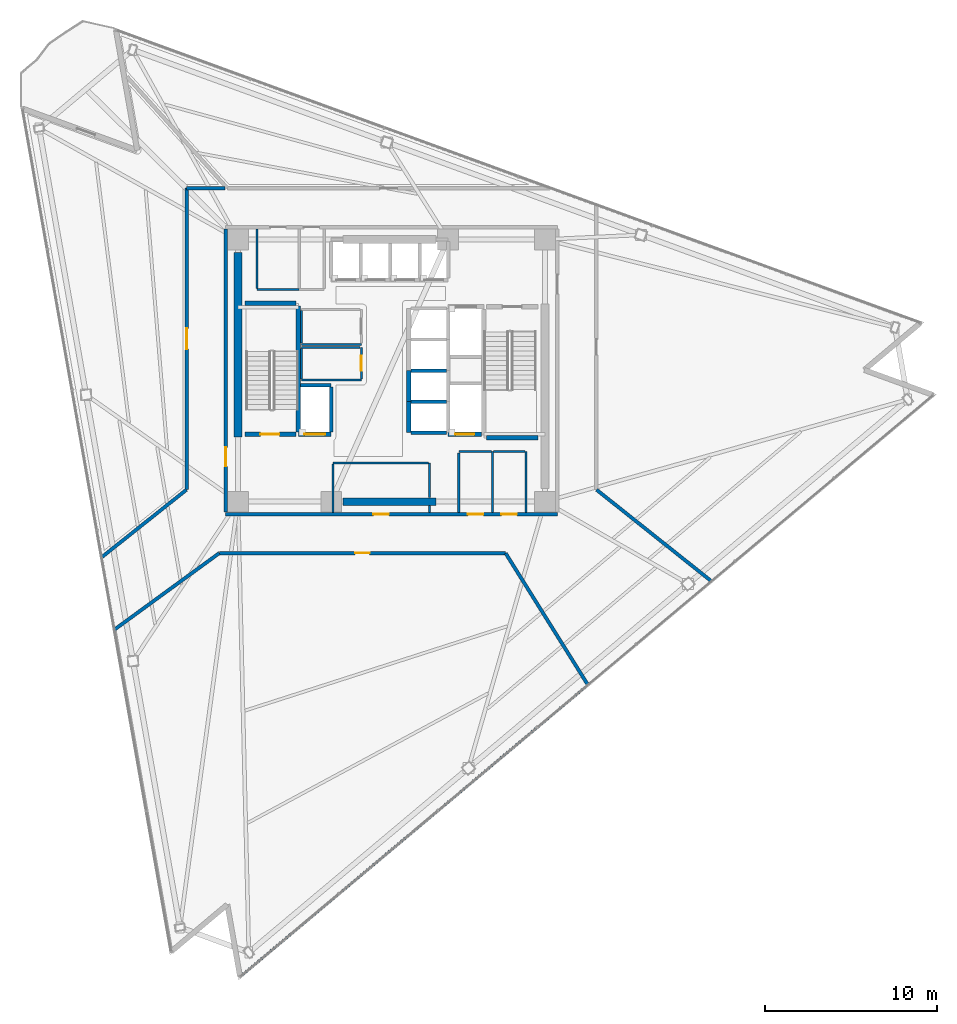
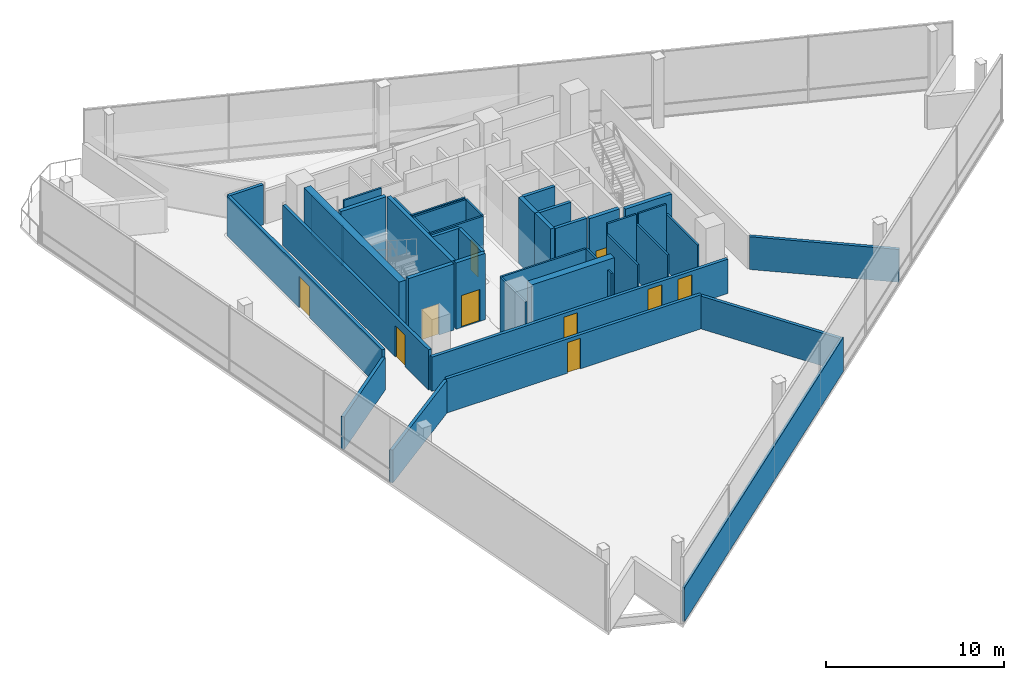
# One storey, part 10 of 15: 42 walls, 10 doors, 10 openings.
"""IFC4 building model written with IfcOpenShell, lengths in metres."""

from ifc_helpers import new_model, si_unit, direction, frame, frame_2d, origin, place, context, subcontext, project, spatial, rectangle, extrude, material, layer, layer_set, type_object, element, fill, save


model = new_model("IFC4")

# Units and contexts
model_context = context("Model", 3, precision=1e-05, world=origin(), true_north=direction((0.0, 1.0)))
body_context = subcontext(model_context, "Body", "Model", "MODEL_VIEW")
ifc_project = project(units=[si_unit("LENGTHUNIT", "METRE"), si_unit("AREAUNIT", "SQUARE_METRE"), si_unit("VOLUMEUNIT", "CUBIC_METRE"), si_unit("PLANEANGLEUNIT", "RADIAN"), si_unit("MASSUNIT", "GRAM", prefix="KILO")], contexts=[model_context])

# Site, building, storey
site_placement = place(None, origin())
site = spatial("IfcSite", under=ifc_project, at=site_placement, CompositionType="ELEMENT")
building_placement = place(site_placement, origin())
building = spatial("IfcBuilding", under=site, at=building_placement, Name="Tharavind Bronze Gate", CompositionType="ELEMENT")
storey_placement = place(building_placement, frame((0.0, 0.0, 192.10009765625)))
storey = spatial("IfcBuildingStorey", under=building, at=storey_placement, Name="L49", CompositionType="ELEMENT", Elevation=192.10009765625)

# Wall, openings, doors
ifc_material_1 = material(Name="Aerated Concrete Block", Category="concrete")
ifc_layer_1 = layer(ifc_material_1, 0.199951171875)
ifc_layer_set_1 = layer_set([ifc_layer_1], Name="Aerated Concrete Block")
wall_type_1 = type_object("IfcWallType", Name="FIRE RATED PARTITION 200", PredefinedType="PARTITIONING", material=ifc_layer_set_1)
wall_1_placement = place(storey_placement, frame((-9.6201171875, -8.320068359375, 0.0), z_axis=(0.0, 0.0, 1.0), x_axis=(1.0, 0.0, 0.0)))
wall_1 = element("IfcWall", 1, at=wall_1_placement, inside=storey, type_object=wall_type_1, Name="L49 south core corridor wall", PredefinedType="PARTITIONING", context=body_context, shape_type="SweptSolid", body=[
    extrude(rectangle(XDim=19.240234375, YDim=0.199951171875, at=frame_2d((9.6201171875, 0.0))), origin(), (0.0, 0.0, 1.0), 2.35498046875),
])
opening_1_placement = place(wall_1_placement, frame((8.570068359375, 0.0, 0.0)))
opening_1 = element("IfcOpeningElement", 2, at=opening_1_placement, cuts=wall_1, Name="Opening ID07", PredefinedType="OPENING", context=body_context, shape_type="SweptSolid", body=[
    extrude(rectangle(XDim=0.89990234375, YDim=2.10009765625, at=frame_2d((0.449951171875, 1.050048828125))), frame((0.0, 0.11009765625, 0.0), z_axis=(0.0, -1.0, 0.0), x_axis=(1.0, 0.0, 0.0)), (0.0, 0.0, 1.0), 0.219951171875),
])
opening_2_placement = place(wall_1_placement, frame((14.044921875, 0.0, 0.0)))
opening_2 = element("IfcOpeningElement", 3, at=opening_2_placement, cuts=wall_1, Name="Opening ID07", PredefinedType="OPENING", context=body_context, shape_type="SweptSolid", body=[
    extrude(rectangle(XDim=0.89990234375, YDim=2.10009765625, at=frame_2d((0.449951171875, 1.050048828125))), frame((0.0, 0.11009765625, 0.0), z_axis=(0.0, -1.0, 0.0), x_axis=(1.0, 0.0, 0.0)), (0.0, 0.0, 1.0), 0.219951171875),
])
opening_3_placement = place(wall_1_placement, frame((15.9951171875, 0.0, 0.0)))
opening_3 = element("IfcOpeningElement", 4, at=opening_3_placement, cuts=wall_1, Name="Opening ID07", PredefinedType="OPENING", context=body_context, shape_type="SweptSolid", body=[
    extrude(rectangle(XDim=0.89990234375, YDim=2.10009765625, at=frame_2d((0.449951171875, 1.050048828125))), frame((0.0, 0.11009765625, 0.0), z_axis=(0.0, -1.0, 0.0), x_axis=(1.0, 0.0, 0.0)), (0.0, 0.0, 1.0), 0.219951171875),
])
ifc_material_2 = material(Name="Galvanised Fire Steel", Category="steel")
door_type_1 = type_object("IfcDoorType", Name="PLANT AND RISER FIRE DOOR 900X2100", OperationType="SINGLE_SWING_LEFT", PredefinedType="DOOR", material=ifc_material_2)
door_1_placement = place(opening_1_placement, origin())
door_1 = element("IfcDoor", 5, at=door_1_placement, inside=storey, type_object=door_type_1, Name="L49 Core BMS Control Room fire door", OperationType="SINGLE_SWING_LEFT", OverallHeight=2.10009765625, OverallWidth=0.89990234375, PredefinedType="DOOR", context=body_context, shape_type="SweptSolid", body=[
    extrude(rectangle(XDim=0.89990234375, YDim=2.10009765625, at=frame_2d((0.449951171875, 1.050048828125))), frame((0.0, 0.02490234375, 0.0), z_axis=(0.0, -1.0, 0.0), x_axis=(1.0, 0.0, 0.0)), (0.0, 0.0, 1.0), 0.050048828125),
])
fill(opening_1, door_1)
door_2_placement = place(opening_2_placement, origin())
door_2 = element("IfcDoor", 6, at=door_2_placement, inside=storey, type_object=door_type_1, Name="L49 Comms Patch Room fire door", OperationType="SINGLE_SWING_LEFT", OverallHeight=2.10009765625, OverallWidth=0.89990234375, PredefinedType="DOOR", context=body_context, shape_type="SweptSolid", body=[
    extrude(rectangle(XDim=0.89990234375, YDim=2.10009765625, at=frame_2d((0.449951171875, 1.050048828125))), frame((0.0, 0.02490234375, 0.0), z_axis=(0.0, -1.0, 0.0), x_axis=(1.0, 0.0, 0.0)), (0.0, 0.0, 1.0), 0.050048828125),
])
fill(opening_2, door_2)
door_3_placement = place(opening_3_placement, origin())
door_3 = element("IfcDoor", 7, at=door_3_placement, inside=storey, type_object=door_type_1, Name="L49 Housekeeping Store fire door", OperationType="SINGLE_SWING_LEFT", OverallHeight=2.10009765625, OverallWidth=0.89990234375, PredefinedType="DOOR", context=body_context, shape_type="SweptSolid", body=[
    extrude(rectangle(XDim=0.89990234375, YDim=2.10009765625, at=frame_2d((0.449951171875, 1.050048828125))), frame((0.0, 0.02490234375, 0.0), z_axis=(0.0, -1.0, 0.0), x_axis=(1.0, 0.0, 0.0)), (0.0, 0.0, 1.0), 0.050048828125),
])
fill(opening_3, door_3)

# Wall, opening, door
wall_2_placement = place(storey_placement, frame((-9.6201171875, 8.199951171875, 0.0), z_axis=(0.0, 0.0, 1.0), x_axis=(0.0, -1.0, 0.0)))
wall_2 = element("IfcWall", 8, at=wall_2_placement, inside=storey, type_object=wall_type_1, Name="L49 west core corridor wall", PredefinedType="PARTITIONING", context=body_context, shape_type="SweptSolid", body=[
    extrude(rectangle(XDim=16.39990234375, YDim=0.199951171875, at=frame_2d((8.199951171875, 0.0))), origin(), (0.0, 0.0, 1.0), 2.7548828125),
])
opening_4_placement = place(wall_2_placement, frame((12.64990234375, 0.0, 0.0)))
opening_4 = element("IfcOpeningElement", 9, at=opening_4_placement, cuts=wall_2, Name="Opening ID01", PredefinedType="OPENING", context=body_context, shape_type="SweptSolid", body=[
    extrude(rectangle(XDim=1.10009765625, YDim=2.14990234375, at=frame_2d((0.550048828125, 1.074951171875))), frame((0.0, 0.11009765625, 0.0), z_axis=(0.0, -1.0, 0.0), x_axis=(1.0, 0.0, 0.0)), (0.0, 0.0, 1.0), 0.219951171875),
])
ifc_material_3 = material(Name="Fire-Rated Steel", Category="steel")
door_type_2 = type_object("IfcDoorType", Name="STAIR CORE FIRE DOOR 1100X2150", OperationType="SINGLE_SWING_LEFT", PredefinedType="DOOR", material=ifc_material_3)
door_4_placement = place(opening_4_placement, frame((1.10009765625, 0.0, 0.0), z_axis=(0.0, 0.0, 1.0), x_axis=(-1.0, 0.0, 0.0)))
door_4 = element("IfcDoor", 10, at=door_4_placement, inside=storey, type_object=door_type_2, Name="L49 south west stair lobby fire door", OperationType="SINGLE_SWING_LEFT", OverallHeight=2.14990234375, OverallWidth=1.10009765625, PredefinedType="DOOR", context=body_context, shape_type="SweptSolid", body=[
    extrude(rectangle(XDim=1.10009765625, YDim=2.14990234375, at=frame_2d((0.550048828125, 1.074951171875))), frame((0.0, 0.02490234375, 0.0), z_axis=(0.0, -1.0, 0.0), x_axis=(1.0, 0.0, 0.0)), (0.0, 0.0, 1.0), 0.050048828125),
])
fill(opening_4, door_4)

# Wall
wall_3_placement = place(storey_placement, frame((-16.06884765625, -15.023681640625, 0.0), z_axis=(0.0, 0.0, 1.0), x_axis=(0.807835167635, 0.589408467815, 0.0)))
element("IfcWall", 11, at=wall_3_placement, inside=storey, type_object=wall_type_1, Name="L49 Public Restrooms Block partition", PredefinedType="PARTITIONING", context=body_context, shape_type="SweptSolid", body=[
    extrude(rectangle(XDim=7.53125, YDim=0.199951171875, at=frame_2d((3.765625, 0.0))), origin(), (0.0, 0.0, 1.0), 2.2548828125),
])

# Wall, opening, door
wall_4_placement = place(storey_placement, frame((-9.969970703125, -10.580078125, 0.0), z_axis=(0.0, 0.0, 1.0), x_axis=(1.0, 0.0, 0.0)))
wall_4 = element("IfcWall", 12, at=wall_4_placement, inside=storey, type_object=wall_type_1, Name="L49 Public Restrooms Block partition", PredefinedType="PARTITIONING", context=body_context, shape_type="SweptSolid", body=[
    extrude(rectangle(XDim=16.5673828125, YDim=0.199951171875, at=frame_2d((8.28369140625, 0.0))), origin(), (0.0, 0.0, 1.0), 2.35498046875),
])
opening_5_placement = place(wall_4_placement, frame((7.85888671875, 0.0, 0.0)))
opening_5 = element("IfcOpeningElement", 13, at=opening_5_placement, cuts=wall_4, Name="Opening ID06", PredefinedType="OPENING", context=body_context, shape_type="SweptSolid", body=[
    extrude(rectangle(XDim=0.85009765625, YDim=2.10009765625, at=frame_2d((0.425048828125, 1.050048828125))), frame((0.0, 0.11009765625, 0.0), z_axis=(0.0, -1.0, 0.0), x_axis=(1.0, 0.0, 0.0)), (0.0, 0.0, 1.0), 0.219951171875),
])
ifc_material_4 = material(Name="Moisture-Resistant Timber", Category="wood")
door_type_3 = type_object("IfcDoorType", Name="BATHROOM PRIVACY DOOR 850X2100", OperationType="SINGLE_SWING_RIGHT", PredefinedType="DOOR", material=ifc_material_4)
door_5_placement = place(opening_5_placement, origin())
door_5 = element("IfcDoor", 14, at=door_5_placement, inside=storey, type_object=door_type_3, Name="L49 Public Restrooms Block door", OperationType="SINGLE_SWING_RIGHT", OverallHeight=2.10009765625, OverallWidth=0.85009765625, PredefinedType="DOOR", context=body_context, shape_type="SweptSolid", body=[
    extrude(rectangle(XDim=0.85009765625, YDim=2.10009765625, at=frame_2d((0.425048828125, 1.050048828125))), frame((0.0, 0.02490234375, 0.0), z_axis=(0.0, -1.0, 0.0), x_axis=(1.0, 0.0, 0.0)), (0.0, 0.0, 1.0), 0.050048828125),
])
fill(opening_5, door_5)

# Walls
wall_5_placement = place(storey_placement, frame((6.618408203125, -10.591796875, 0.0), z_axis=(0.0, 0.0, 1.0), x_axis=(0.52993291872, -0.848039563733, 0.0)))
element("IfcWall", 15, at=wall_5_placement, inside=storey, type_object=wall_type_1, Name="L49 Public Restrooms Block partition", PredefinedType="PARTITIONING", context=body_context, shape_type="SweptSolid", body=[
    extrude(rectangle(XDim=8.974853515625, YDim=0.199951171875, at=frame_2d((4.4873046875, 0.0))), origin(), (0.0, 0.0, 1.0), 2.2548828125),
])
wall_6_placement = place(storey_placement, frame((-9.66748046875, 10.580078125, 0.0), z_axis=(0.0, 0.0, 1.0), x_axis=(-1.0, 0.0, 0.0)))
element("IfcWall", 16, at=wall_6_placement, inside=storey, type_object=wall_type_1, Name="L49 Design Review Room partition", PredefinedType="PARTITIONING", context=body_context, shape_type="SweptSolid", body=[
    extrude(rectangle(XDim=2.2119140625, YDim=0.199951171875, at=frame_2d((1.10595703125, 0.0))), origin(), (0.0, 0.0, 1.0), 2.7548828125),
])

# Wall, opening, door
wall_7_placement = place(storey_placement, frame((-11.8798828125, 10.579345703125, 0.0), z_axis=(0.0, 0.0, 1.0), x_axis=(0.0, -1.0, 0.0)))
wall_7 = element("IfcWall", 17, at=wall_7_placement, inside=storey, type_object=wall_type_1, Name="L49 Design Review Room partition", PredefinedType="PARTITIONING", context=body_context, shape_type="SweptSolid", body=[
    extrude(rectangle(XDim=17.470703125, YDim=0.199951171875, at=frame_2d((8.7353515625, 0.0))), origin(), (0.0, 0.0, 1.0), 2.7548828125),
])
opening_6_placement = place(wall_7_placement, frame((8.135009765625, 0.0, 0.0)))
opening_6 = element("IfcOpeningElement", 18, at=opening_6_placement, cuts=wall_7, Name="Opening ID05", PredefinedType="OPENING", context=body_context, shape_type="SweptSolid", body=[
    extrude(rectangle(XDim=1.199951171875, YDim=2.14990234375, at=frame_2d((0.60009765625, 1.074951171875))), frame((0.0, 0.11009765625, 0.0), z_axis=(0.0, -1.0, 0.0), x_axis=(1.0, 0.0, 0.0)), (0.0, 0.0, 1.0), 0.219951171875),
])
ifc_material_5 = material(Name="Acoustic Laminated Glass", Category="glass")
door_type_4 = type_object("IfcDoorType", Name="MEETING ROOM GLAZED DOOR 1200X2150", OperationType="SINGLE_SWING_LEFT", PredefinedType="DOOR", material=ifc_material_5)
door_6_placement = place(opening_6_placement, origin())
door_6 = element("IfcDoor", 19, at=door_6_placement, inside=storey, type_object=door_type_4, Name="L49 Design Review Room door", OperationType="SINGLE_SWING_LEFT", OverallHeight=2.14990234375, OverallWidth=1.199951171875, PredefinedType="DOOR", context=body_context, shape_type="SweptSolid", body=[
    extrude(rectangle(XDim=1.199951171875, YDim=2.14990234375, at=frame_2d((0.60009765625, 1.074951171875))), frame((0.0, 0.02490234375, 0.0), z_axis=(0.0, -1.0, 0.0), x_axis=(1.0, 0.0, 0.0)), (0.0, 0.0, 1.0), 0.050048828125),
])
fill(opening_6, door_6)

# Walls
wall_8_placement = place(storey_placement, frame((-11.889404296875, -6.910888671875, 0.0), z_axis=(0.0, 0.0, 1.0), x_axis=(-0.782381746657, -0.622799167066, 0.0)))
element("IfcWall", 20, at=wall_8_placement, inside=storey, type_object=wall_type_1, Name="L49 Design Review Room partition", PredefinedType="PARTITIONING", context=body_context, shape_type="SweptSolid", body=[
    extrude(rectangle(XDim=6.287841796875, YDim=0.199951171875, at=frame_2d((3.14404296875, 0.0))), origin(), (0.0, 0.0, 1.0), 2.2548828125),
])
wall_9_placement = place(storey_placement, frame((18.548095703125, -12.21142578125, 0.0), z_axis=(0.0, 0.0, 1.0), x_axis=(-0.782380574332, 0.622800639778, 0.0)))
element("IfcWall", 21, at=wall_9_placement, inside=storey, type_object=wall_type_1, Name="L49 Design Tea Pantry partition", PredefinedType="PARTITIONING", context=body_context, shape_type="SweptSolid", body=[
    extrude(rectangle(XDim=8.5107421875, YDim=0.199951171875, at=frame_2d((4.25537109375, 0.0))), origin(), (0.0, 0.0, 1.0), 2.2548828125),
])
ifc_material_6 = material(Name="Metal Stud Gypsum Partition", Category="gypsum")
ifc_layer_2 = layer(ifc_material_6, 0.1201171875)
ifc_layer_set_2 = layer_set([ifc_layer_2], Name="Metal Stud Gypsum Partition")
wall_type_2 = type_object("IfcWallType", Name="INTERIOR PARTITION WALL 120", PredefinedType="PARTITIONING", material=ifc_layer_set_2)
wall_10_placement = place(storey_placement, frame((-5.219970703125, 1.52001953125, 0.0), z_axis=(0.0, 0.0, 1.0), x_axis=(1.0, 0.0, 0.0)))
element("IfcWall", 22, at=wall_10_placement, inside=storey, type_object=wall_type_2, Name="L49 Cleaner Store Room partition 1", PredefinedType="PARTITIONING", context=body_context, shape_type="SweptSolid", body=[
    extrude(rectangle(XDim=3.469970703125, YDim=0.1201171875, at=frame_2d((1.73486328125, 0.0))), origin(), (0.0, 0.0, 1.0), 4.559814453125),
])
wall_11_placement = place(storey_placement, frame((-5.219970703125, 3.485107421875, 0.0), z_axis=(0.0, 0.0, 1.0), x_axis=(0.0, -1.0, 0.0)))
element("IfcWall", 23, at=wall_11_placement, inside=storey, type_object=wall_type_2, Name="L49 Cleaner Store Room partition 4", PredefinedType="PARTITIONING", context=body_context, shape_type="SweptSolid", body=[
    extrude(rectangle(XDim=1.900146484375, YDim=0.1201171875, at=frame_2d((0.9501953125, 0.0))), origin(), (0.0, 0.0, 1.0), 4.559814453125),
])
wall_12_placement = place(storey_placement, frame((-5.219970703125, -0.550048828125, 0.0), z_axis=(0.0, 0.0, 1.0), x_axis=(1.0, 0.0, 0.0)))
element("IfcWall", 24, at=wall_12_placement, inside=storey, type_object=wall_type_2, Name="L49 Electrical Switch Room partition 1", PredefinedType="PARTITIONING", context=body_context, shape_type="SweptSolid", body=[
    extrude(rectangle(XDim=3.469970703125, YDim=0.1201171875, at=frame_2d((1.73486328125, 0.0))), origin(), (0.0, 0.0, 1.0), 4.559814453125),
])

# Wall, opening, door
wall_13_placement = place(storey_placement, frame((-1.75, -0.485107421875, 0.0), z_axis=(0.0, 0.0, 1.0), x_axis=(0.0, 1.0, 0.0)))
wall_13 = element("IfcWall", 25, at=wall_13_placement, inside=storey, type_object=wall_type_2, Name="L49 Electrical Switch Room partition 2", PredefinedType="PARTITIONING", context=body_context, shape_type="SweptSolid", body=[
    extrude(rectangle(XDim=1.8251953125, YDim=0.1201171875, at=frame_2d((0.91259765625, 0.0))), origin(), (0.0, 0.0, 1.0), 4.559814453125),
])
opening_7_placement = place(wall_13_placement, frame((0.488037109375, 0.0, 0.0)))
opening_7 = element("IfcOpeningElement", 26, at=opening_7_placement, cuts=wall_13, Name="Opening ID06", PredefinedType="OPENING", context=body_context, shape_type="SweptSolid", body=[
    extrude(rectangle(XDim=0.85009765625, YDim=2.10009765625, at=frame_2d((0.425048828125, 1.050048828125))), frame((0.0, 0.07005859375, 0.0), z_axis=(0.0, -1.0, 0.0), x_axis=(1.0, 0.0, 0.0)), (0.0, 0.0, 1.0), 0.1401171875),
])
door_7_placement = place(opening_7_placement, frame((0.85009765625, 0.0, 0.0), z_axis=(0.0, 0.0, 1.0), x_axis=(-1.0, 0.0, 0.0)))
door_7 = element("IfcDoor", 27, at=door_7_placement, inside=storey, type_object=door_type_3, Name="L49 Electrical Switch Room door", OperationType="SINGLE_SWING_RIGHT", OverallHeight=2.10009765625, OverallWidth=0.85009765625, PredefinedType="DOOR", context=body_context, shape_type="SweptSolid", body=[
    extrude(rectangle(XDim=0.85009765625, YDim=2.10009765625, at=frame_2d((0.425048828125, 1.050048828125))), frame((0.0, 0.02490234375, 0.0), z_axis=(0.0, -1.0, 0.0), x_axis=(1.0, 0.0, 0.0)), (0.0, 0.0, 1.0), 0.050048828125),
])
fill(opening_7, door_7)

# Walls
wall_14_placement = place(storey_placement, frame((-1.81494140625, 1.340087890625, 0.0), z_axis=(0.0, 0.0, 1.0), x_axis=(-1.0, 0.0, 0.0)))
element("IfcWall", 28, at=wall_14_placement, inside=storey, type_object=wall_type_2, Name="L49 Electrical Switch Room partition 3", PredefinedType="PARTITIONING", context=body_context, shape_type="SweptSolid", body=[
    extrude(rectangle(XDim=3.405029296875, YDim=0.1201171875, at=frame_2d((1.70263671875, 0.0))), origin(), (0.0, 0.0, 1.0), 4.559814453125),
])
wall_15_placement = place(storey_placement, frame((-5.219970703125, 1.27490234375, 0.0), z_axis=(0.0, 0.0, 1.0), x_axis=(0.0, -1.0, 0.0)))
element("IfcWall", 29, at=wall_15_placement, inside=storey, type_object=wall_type_2, Name="L49 Electrical Switch Room partition 4", PredefinedType="PARTITIONING", context=body_context, shape_type="SweptSolid", body=[
    extrude(rectangle(XDim=1.760009765625, YDim=0.1201171875, at=frame_2d((0.8798828125, 0.0))), origin(), (0.0, 0.0, 1.0), 4.559814453125),
])
wall_16_placement = place(storey_placement, frame((2.199951171875, -8.215087890625, 0.0), z_axis=(0.0, 0.0, 1.0), x_axis=(0.0, 1.0, 0.0)))
element("IfcWall", 30, at=wall_16_placement, inside=storey, type_object=wall_type_2, Name="L49 Core BMS Control Room partition 2", PredefinedType="PARTITIONING", context=body_context, shape_type="SweptSolid", body=[
    extrude(rectangle(XDim=0.385009765625, YDim=0.1201171875, at=frame_2d((0.1923828125, 0.0))), origin(), (0.0, 0.0, 1.0), 3.85498046875),
])
wall_17_placement = place(storey_placement, frame((2.199951171875, -7.3701171875, 0.0), z_axis=(0.0, 0.0, 1.0), x_axis=(0.0, 1.0, 0.0)))
element("IfcWall", 31, at=wall_17_placement, inside=storey, type_object=wall_type_2, Name="L49 Core BMS Control Room partition 2", PredefinedType="PARTITIONING", context=body_context, shape_type="SweptSolid", body=[
    extrude(rectangle(XDim=2.02001953125, YDim=0.1201171875, at=frame_2d((1.010009765625, 0.0))), origin(), (0.0, 0.0, 1.0), 3.85498046875),
])
wall_18_placement = place(storey_placement, frame((2.135009765625, -5.35009765625, 0.0), z_axis=(0.0, 0.0, 1.0), x_axis=(-1.0, 0.0, 0.0)))
element("IfcWall", 32, at=wall_18_placement, inside=storey, type_object=wall_type_2, Name="L49 Core BMS Control Room partition 3", PredefinedType="PARTITIONING", context=body_context, shape_type="SweptSolid", body=[
    extrude(rectangle(XDim=5.534912109375, YDim=0.1201171875, at=frame_2d((2.767578125, 0.0))), origin(), (0.0, 0.0, 1.0), 3.85498046875),
])
wall_19_placement = place(storey_placement, frame((-3.39990234375, -5.4150390625, 0.0), z_axis=(0.0, 0.0, 1.0), x_axis=(0.0, -1.0, 0.0)))
element("IfcWall", 33, at=wall_19_placement, inside=storey, type_object=wall_type_2, Name="L49 Core BMS Control Room partition 4", PredefinedType="PARTITIONING", context=body_context, shape_type="SweptSolid", body=[
    extrude(rectangle(XDim=2.800048828125, YDim=0.1201171875, at=frame_2d((1.39990234375, 0.0))), origin(), (0.0, 0.0, 1.0), 3.85498046875),
])
wall_20_placement = place(storey_placement, frame((-7.800048828125, 4.699951171875, 0.0), z_axis=(0.0, 0.0, 1.0), x_axis=(1.0, 0.0, 0.0)))
element("IfcWall", 34, at=wall_20_placement, inside=storey, type_object=wall_type_2, Name="L49 Electrical Metering Room partition 1", PredefinedType="PARTITIONING", context=body_context, shape_type="SweptSolid", body=[
    extrude(rectangle(XDim=2.449951171875, YDim=0.1201171875, at=frame_2d((1.22509765625, 0.0))), origin(), (0.0, 0.0, 1.0), 4.559814453125),
])
wall_21_placement = place(storey_placement, frame((-7.800048828125, 8.215087890625, 0.0), z_axis=(0.0, 0.0, 1.0), x_axis=(0.0, -1.0, 0.0)))
element("IfcWall", 35, at=wall_21_placement, inside=storey, type_object=wall_type_2, Name="L49 Electrical Metering Room partition 4", PredefinedType="PARTITIONING", context=body_context, shape_type="SweptSolid", body=[
    extrude(rectangle(XDim=3.4501953125, YDim=0.1201171875, at=frame_2d((1.72509765625, 0.0))), origin(), (0.0, 0.0, 1.0), 2.7548828125),
])
wall_22_placement = place(storey_placement, frame((5.85009765625, -8.215087890625, 0.0), z_axis=(0.0, 0.0, 1.0), x_axis=(0.0, 1.0, 0.0)))
element("IfcWall", 36, at=wall_22_placement, inside=storey, type_object=wall_type_2, Name="L49 Comms Patch Room partition 2", PredefinedType="PARTITIONING", context=body_context, shape_type="SweptSolid", body=[
    extrude(rectangle(XDim=3.51513671875, YDim=0.1201171875, at=frame_2d((1.757568359375, 0.0))), origin(), (0.0, 0.0, 1.0), 3.85498046875),
])
wall_23_placement = place(storey_placement, frame((5.784912109375, -4.699951171875, 0.0), z_axis=(0.0, 0.0, 1.0), x_axis=(-1.0, 0.0, 0.0)))
element("IfcWall", 37, at=wall_23_placement, inside=storey, type_object=wall_type_2, Name="L49 Comms Patch Room partition 3", PredefinedType="PARTITIONING", context=body_context, shape_type="SweptSolid", body=[
    extrude(rectangle(XDim=1.885009765625, YDim=0.1201171875, at=frame_2d((0.9423828125, 0.0))), origin(), (0.0, 0.0, 1.0), 4.559814453125),
])
wall_24_placement = place(storey_placement, frame((3.89990234375, -4.764892578125, 0.0), z_axis=(0.0, 0.0, 1.0), x_axis=(0.0, -1.0, 0.0)))
element("IfcWall", 38, at=wall_24_placement, inside=storey, type_object=wall_type_2, Name="L49 Comms Patch Room partition 4", PredefinedType="PARTITIONING", context=body_context, shape_type="SweptSolid", body=[
    extrude(rectangle(XDim=3.4501953125, YDim=0.1201171875, at=frame_2d((1.72509765625, 0.0))), origin(), (0.0, 0.0, 1.0), 3.85498046875),
])
wall_25_placement = place(storey_placement, frame((7.800048828125, -8.215087890625, 0.0), z_axis=(0.0, 0.0, 1.0), x_axis=(0.0, 1.0, 0.0)))
element("IfcWall", 39, at=wall_25_placement, inside=storey, type_object=wall_type_2, Name="L49 Housekeeping Store partition 2", PredefinedType="PARTITIONING", context=body_context, shape_type="SweptSolid", body=[
    extrude(rectangle(XDim=3.51513671875, YDim=0.1201171875, at=frame_2d((1.757568359375, 0.0))), origin(), (0.0, 0.0, 1.0), 3.85498046875),
])
wall_26_placement = place(storey_placement, frame((7.735107421875, -4.699951171875, 0.0), z_axis=(0.0, 0.0, 1.0), x_axis=(-1.0, 0.0, 0.0)))
element("IfcWall", 40, at=wall_26_placement, inside=storey, type_object=wall_type_2, Name="L49 Housekeeping Store partition 3", PredefinedType="PARTITIONING", context=body_context, shape_type="SweptSolid", body=[
    extrude(rectangle(XDim=1.820068359375, YDim=0.1201171875, at=frame_2d((0.91015625, 0.0))), origin(), (0.0, 0.0, 1.0), 4.559814453125),
])
ifc_material_7 = material(Name="Twin Stud Acoustic Gypsum", Category="gypsum")
ifc_layer_3 = layer(ifc_material_7, 0.14990234375)
ifc_layer_set_3 = layer_set([ifc_layer_3], Name="Twin Stud Acoustic Gypsum")
wall_type_3 = type_object("IfcWallType", Name="INTERIOR PARTITION WALL 150", PredefinedType="PARTITIONING", material=ifc_layer_set_3)
wall_27_placement = place(storey_placement, frame((11.369140625, -18.235107421875, 0.0), z_axis=(0.0, 0.0, 1.0), x_axis=(-0.766038824694, -0.642794305405, 0.0)))
element("IfcWall", 41, at=wall_27_placement, inside=storey, type_object=wall_type_3, Name="L49 Public Restrooms Block partition", PredefinedType="PARTITIONING", context=body_context, shape_type="SweptSolid", body=[
    extrude(rectangle(XDim=26.130615234375, YDim=0.14990234375, at=frame_2d((13.0654296875, 0.0))), origin(), (0.0, 0.0, 1.0), 2.35498046875),
])
ifc_material_8 = material(Name="Concrete C50/60", Category="concrete")
ifc_layer_4 = layer(ifc_material_8, 0.25)
ifc_layer_set_4 = layer_set([ifc_layer_4], Name="Concrete C50/60")
wall_type_4 = type_object("IfcWallType", Name="RC CORE SHEAR WALL 250", PredefinedType="SHEAR", material=ifc_layer_set_4)
wall_28_placement = place(storey_placement, frame((-5.39990234375, -3.550048828125, 0.0), z_axis=(0.0, 0.0, 1.0), x_axis=(0.0, 1.0, 0.0)))
element("IfcWall", 42, at=wall_28_placement, inside=storey, type_object=wall_type_4, Name="L49 ST1 shaft east wall", PredefinedType="SHEAR", context=body_context, shape_type="SweptSolid", body=[
    extrude(rectangle(XDim=7.300048828125, YDim=0.25, at=frame_2d((3.64990234375, 0.0))), origin(), (0.0, 0.0, 1.0), 4.559814453125),
])

# Wall, opening, door
wall_29_placement = place(storey_placement, frame((-8.5, -3.699951171875, 0.0), z_axis=(0.0, 0.0, 1.0), x_axis=(1.0, 0.0, 0.0)))
wall_29 = element("IfcWall", 43, at=wall_29_placement, inside=storey, type_object=wall_type_4, Name="L49 ST1 shaft south wall", PredefinedType="SHEAR", context=body_context, shape_type="SweptSolid", body=[
    extrude(rectangle(XDim=2.949951171875, YDim=0.25, at=frame_2d((1.47509765625, 0.0))), origin(), (0.0, 0.0, 1.0), 4.559814453125),
])
opening_8_placement = place(wall_29_placement, frame((0.89990234375, 0.0, 0.0)))
opening_8 = element("IfcOpeningElement", 44, at=opening_8_placement, cuts=wall_29, Name="Opening ID01", PredefinedType="OPENING", context=body_context, shape_type="SweptSolid", body=[
    extrude(rectangle(XDim=1.10009765625, YDim=2.14990234375, at=frame_2d((0.550048828125, 1.074951171875))), frame((0.0, 0.135, 0.0), z_axis=(0.0, -1.0, 0.0), x_axis=(1.0, 0.0, 0.0)), (0.0, 0.0, 1.0), 0.27),
])
door_8_placement = place(opening_8_placement, origin())
door_8 = element("IfcDoor", 45, at=door_8_placement, inside=storey, type_object=door_type_2, Name="L49 exit stair ST1 fire door", OperationType="SINGLE_SWING_LEFT", OverallHeight=2.14990234375, OverallWidth=1.10009765625, PredefinedType="DOOR", context=body_context, shape_type="SweptSolid", body=[
    extrude(rectangle(XDim=1.10009765625, YDim=2.14990234375, at=frame_2d((0.550048828125, 1.074951171875))), frame((0.0, 0.02490234375, 0.0), z_axis=(0.0, -1.0, 0.0), x_axis=(1.0, 0.0, 0.0)), (0.0, 0.0, 1.0), 0.050048828125),
])
fill(opening_8, door_8)

# Walls
wall_30_placement = place(storey_placement, frame((-8.5, 3.89990234375, 0.0), z_axis=(0.0, 0.0, 1.0), x_axis=(1.0, 0.0, 0.0)))
element("IfcWall", 46, at=wall_30_placement, inside=storey, type_object=wall_type_4, Name="L49 ST1 shaft north wall", PredefinedType="SHEAR", context=body_context, shape_type="SweptSolid", body=[
    extrude(rectangle(XDim=2.949951171875, YDim=0.25, at=frame_2d((1.47509765625, 0.0))), origin(), (0.0, 0.0, 1.0), 4.559814453125),
])
wall_31_placement = place(storey_placement, frame((5.5, -3.89990234375, 0.0), z_axis=(0.0, 0.0, 1.0), x_axis=(1.0, 0.0, 0.0)))
element("IfcWall", 47, at=wall_31_placement, inside=storey, type_object=wall_type_4, Name="L49 ST2 shaft south wall", PredefinedType="SHEAR", context=body_context, shape_type="SweptSolid", body=[
    extrude(rectangle(XDim=3.0, YDim=0.25, at=frame_2d((1.5, 0.0))), origin(), (0.0, 0.0, 1.0), 4.559814453125),
])
for number, where, z_axis, x_axis, name in (
    (48, (1.0, -3.60009765625, 0.0), (0.0, 0.0, 1.0), (0.0, 1.0, 0.0), "L49 lift PL9 shaft front wall"),
    (49, (1.0, -1.800048828125, 0.0), (0.0, 0.0, 1.0), (0.0, 1.0, 0.0), "L49 lift PL10 shaft front wall"),
):
    element("IfcWall", number, at=place(storey_placement, frame(where, z_axis=z_axis, x_axis=x_axis)), inside=storey, type_object=wall_type_4, Name=name, PredefinedType="SHEAR", context=body_context, shape_type="SweptSolid", body=[
        extrude(rectangle(XDim=1.800048828125, YDim=0.25, at=frame_2d((0.89990234375, 0.0))), origin(), (0.0, 0.0, 1.0), 4.559814453125),
    ])

# Wall, opening, door
wall_32_placement = place(storey_placement, frame((-5.39990234375, -3.699951171875, 0.0), z_axis=(0.0, 0.0, 1.0), x_axis=(1.0, 0.0, 0.0)))
wall_32 = element("IfcWall", 50, at=wall_32_placement, inside=storey, type_object=wall_type_4, Name="L49 lift FFL1 shaft front wall", PredefinedType="SHEAR", context=body_context, shape_type="SweptSolid", body=[
    extrude(rectangle(XDim=1.89990234375, YDim=0.25, at=frame_2d((0.949951171875, 0.0))), origin(), (0.0, 0.0, 1.0), 4.559814453125),
])
opening_9_placement = place(wall_32_placement, frame((0.35009765625, 0.0, 0.0)))
opening_9 = element("IfcOpeningElement", 51, at=opening_9_placement, cuts=wall_32, Name="Opening LD02", PredefinedType="OPENING", context=body_context, shape_type="SweptSolid", body=[
    extrude(rectangle(XDim=1.199951171875, YDim=2.199951171875, at=frame_2d((0.60009765625, 1.10009765625))), frame((0.0, 0.135, 0.0), z_axis=(0.0, -1.0, 0.0), x_axis=(1.0, 0.0, 0.0)), (0.0, 0.0, 1.0), 0.27),
])
ifc_material_9 = material(Name="Brushed Stainless Steel", Category="steel")
door_type_5 = type_object("IfcDoorType", Name="FIREFIGHTING LIFT LANDING DOOR 1200X2200", OperationType="SLIDING_TO_RIGHT", PredefinedType="DOOR", material=ifc_material_9)
door_9_placement = place(opening_9_placement, origin())
door_9 = element("IfcDoor", 52, at=door_9_placement, inside=storey, type_object=door_type_5, Name="L49 lift FFL1 sliding landing door", OperationType="SLIDING_TO_RIGHT", OverallHeight=2.199951171875, OverallWidth=1.199951171875, PredefinedType="DOOR", context=body_context, shape_type="SweptSolid", body=[
    extrude(rectangle(XDim=1.199951171875, YDim=2.199951171875, at=frame_2d((0.60009765625, 1.10009765625))), frame((0.0, 0.02490234375, 0.0), z_axis=(0.0, -1.0, 0.0), x_axis=(1.0, 0.0, 0.0)), (0.0, 0.0, 1.0), 0.050048828125),
])
fill(opening_9, door_9)

wall_33_placement = place(storey_placement, frame((3.280029296875, -3.699951171875, 0.0), z_axis=(0.0, 0.0, 1.0), x_axis=(1.0, 0.0, 0.0)))
wall_33 = element("IfcWall", 53, at=wall_33_placement, inside=storey, type_object=wall_type_4, Name="L49 lift SVL1 shaft front wall", PredefinedType="SHEAR", context=body_context, shape_type="SweptSolid", body=[
    extrude(rectangle(XDim=1.93994140625, YDim=0.25, at=frame_2d((0.969970703125, 0.0))), origin(), (0.0, 0.0, 1.0), 4.559814453125),
])
opening_10_placement = place(wall_33_placement, frame((0.419921875, 0.0, 0.0)))
opening_10 = element("IfcOpeningElement", 54, at=opening_10_placement, cuts=wall_33, Name="Opening LD01", PredefinedType="OPENING", context=body_context, shape_type="SweptSolid", body=[
    extrude(rectangle(XDim=1.10009765625, YDim=2.199951171875, at=frame_2d((0.550048828125, 1.10009765625))), frame((0.0, 0.135, 0.0), z_axis=(0.0, -1.0, 0.0), x_axis=(1.0, 0.0, 0.0)), (0.0, 0.0, 1.0), 0.27),
])
ifc_material_10 = material(Name="Brushed Bronze Stainless Steel", Category="steel")
door_type_6 = type_object("IfcDoorType", Name="LIFT LANDING SLIDING DOOR 1100X2200", OperationType="SLIDING_TO_LEFT", PredefinedType="DOOR", material=ifc_material_10)
door_10_placement = place(opening_10_placement, origin())
door_10 = element("IfcDoor", 55, at=door_10_placement, inside=storey, type_object=door_type_6, Name="L49 lift SVL1 sliding landing door", OperationType="SLIDING_TO_LEFT", OverallHeight=2.199951171875, OverallWidth=1.10009765625, PredefinedType="DOOR", context=body_context, shape_type="SweptSolid", body=[
    extrude(rectangle(XDim=1.10009765625, YDim=2.199951171875, at=frame_2d((0.550048828125, 1.10009765625))), frame((0.0, 0.02490234375, 0.0), z_axis=(0.0, -1.0, 0.0), x_axis=(1.0, 0.0, 0.0)), (0.0, 0.0, 1.0), 0.050048828125),
])
fill(opening_10, door_10)

# Walls
ifc_material_11 = material(Name="Concrete C60/75", Category="concrete")
ifc_layer_5 = layer(ifc_material_11, 0.449951171875)
ifc_layer_set_5 = layer_set([ifc_layer_5], Name="Concrete C60/75")
wall_type_5 = type_object("IfcWallType", Name="RC CORE SHEAR WALL 450", PredefinedType="SHEAR", material=ifc_layer_set_5)
wall_34_placement = place(storey_placement, frame((-2.800048828125, -7.60009765625, 0.0), z_axis=(0.0, 0.0, 1.0), x_axis=(1.0, 0.0, 0.0)))
element("IfcWall", 56, at=wall_34_placement, inside=storey, type_object=wall_type_5, Name="L49 south core shear wall", PredefinedType="SHEAR", context=body_context, shape_type="SweptSolid", body=[
    extrude(rectangle(XDim=5.380126953125, YDim=0.449951171875, at=frame_2d((2.68994140625, 0.0))), origin(), (0.0, 0.0, 1.0), 4.559814453125),
])
wall_35_placement = place(storey_placement, frame((-8.89990234375, -3.85009765625, 0.0), z_axis=(0.0, 0.0, 1.0), x_axis=(0.0, 1.0, 0.0)))
element("IfcWall", 57, at=wall_35_placement, inside=storey, type_object=wall_type_5, Name="L49 west core shear wall", PredefinedType="SHEAR", context=body_context, shape_type="SweptSolid", body=[
    extrude(rectangle(XDim=10.7001953125, YDim=0.449951171875, at=frame_2d((5.35009765625, 0.0))), origin(), (0.0, 0.0, 1.0), 4.559814453125),
])
ifc_material_12 = material(Name="Concrete C40/50", Category="concrete")
ifc_layer_6 = layer(ifc_material_12, 0.199951171875)
ifc_layer_set_6 = layer_set([ifc_layer_6], Name="Concrete C40/50")
wall_type_6 = type_object("IfcWallType", Name="SHAFT ENCLOSURE WALL 200", PredefinedType="PARTITIONING", material=ifc_layer_set_6)
for number, where, z_axis, x_axis, name in (
    (58, (1.1298828125, -3.60009765625, 0.0), (0.0, 0.0, 1.0), (1.0, 0.0, 0.0), "L49 lift PL9 shaft S enclosure wall"),
    (59, (1.1298828125, -1.800048828125, 0.0), (0.0, 0.0, 1.0), (1.0, 0.0, 0.0), "L49 lift PL9 shaft N enclosure wall"),
    (60, (1.1298828125, 0.0, 0.0), (0.0, 0.0, 1.0), (1.0, 0.0, 0.0), "L49 lift PL10 shaft N enclosure wall"),
):
    element("IfcWall", number, at=place(storey_placement, frame(where, z_axis=z_axis, x_axis=x_axis)), inside=storey, type_object=wall_type_6, Name=name, PredefinedType="PARTITIONING", context=body_context, shape_type="SweptSolid", body=[
        extrude(rectangle(XDim=2.045166015625, YDim=0.199951171875, at=frame_2d((1.0224609375, 0.0))), origin(), (0.0, 0.0, 1.0), 4.559814453125),
    ])
wall_36_placement = place(storey_placement, frame((-5.27001953125, -0.85009765625, 0.0), z_axis=(0.0, 0.0, 1.0), x_axis=(1.0, 0.0, 0.0)))
element("IfcWall", 61, at=wall_36_placement, inside=storey, type_object=wall_type_6, Name="L49 lift FFL1 shaft N enclosure wall", PredefinedType="PARTITIONING", context=body_context, shape_type="SweptSolid", body=[
    extrude(rectangle(XDim=1.77001953125, YDim=0.199951171875, at=frame_2d((0.885009765625, 0.0))), origin(), (0.0, 0.0, 1.0), 4.559814453125),
])
wall_37_placement = place(storey_placement, frame((-3.5, -3.570068359375, 0.0), z_axis=(0.0, 0.0, 1.0), x_axis=(0.0, 1.0, 0.0)))
element("IfcWall", 62, at=wall_37_placement, inside=storey, type_object=wall_type_6, Name="L49 lift FFL1 shaft E enclosure wall", PredefinedType="PARTITIONING", context=body_context, shape_type="SweptSolid", body=[
    extrude(rectangle(XDim=2.614990234375, YDim=0.199951171875, at=frame_2d((1.3076171875, 0.0))), origin(), (0.0, 0.0, 1.0), 4.559814453125),
])

save(model, "model.ifc")
